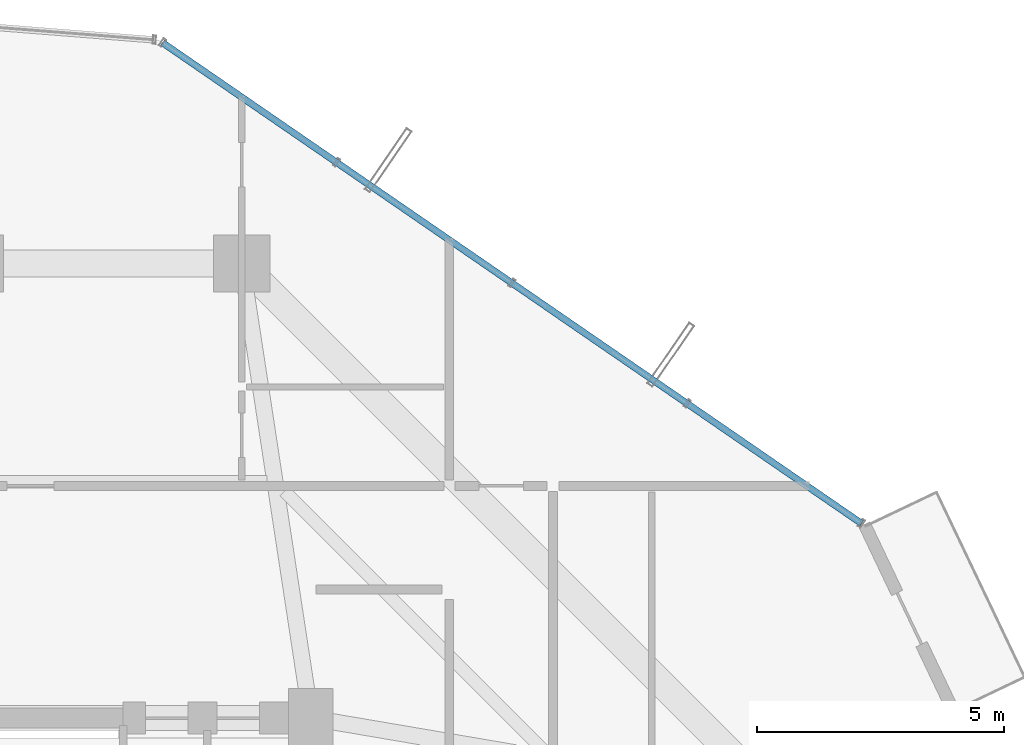
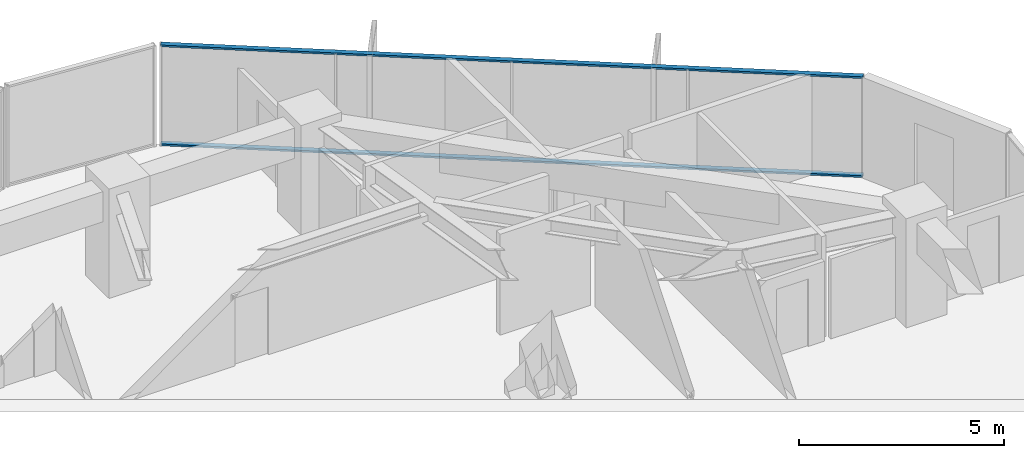
# One storey, part 22 of 30: 2 members, 1 element without a shape of its own.
"""IFC4 building model written with IfcOpenShell, lengths in metres."""

from ifc_helpers import new_model, si_unit, direction, frame, origin, origin_2d, place, context, subcontext, project, spatial, hollow_rectangle, extrude, source, transform, mapped, material, layer, layer_set, material_profile, profile_set, type_object, element, aggregate, save


model = new_model("IFC4")

# Units and contexts
model_context = context("Model", 3, precision=1e-05, world=origin(), true_north=direction((0.0, 1.0)))
body_context = subcontext(model_context, "Body", "Model", "MODEL_VIEW")
ifc_project = project(units=[si_unit("LENGTHUNIT", "METRE"), si_unit("AREAUNIT", "SQUARE_METRE"), si_unit("VOLUMEUNIT", "CUBIC_METRE"), si_unit("PLANEANGLEUNIT", "RADIAN"), si_unit("MASSUNIT", "GRAM", prefix="KILO")], contexts=[model_context])

# Site, building, storey
site_placement = place(None, origin())
site = spatial("IfcSite", under=ifc_project, at=site_placement, CompositionType="ELEMENT")
building_placement = place(site_placement, origin())
building = spatial("IfcBuilding", under=site, at=building_placement, Name="Veraguas Prism Commons", CompositionType="ELEMENT")
storey_placement = place(building_placement, frame((0.0, 0.0, 113.25)))
storey = spatial("IfcBuildingStorey", under=building, at=storey_placement, Name="L31", CompositionType="ELEMENT", Elevation=113.25)

# Curtain wall, members
ifc_material = material(Name="Anodised aluminium EN AW-6063 T6", Category="aluminium")
ifc_layer = layer(ifc_material, 0.169921875, Name="Unitised Flush Curtain Wall Zone 2", Category="aluminium")
ifc_layer_set = layer_set([ifc_layer], Name="Anodised aluminium EN AW-6063 T6")
curtain_wall_type = type_object("IfcCurtainWallType", Name="Unitised Flush Curtain Wall Zone 2", PredefinedType="NOTDEFINED", material=ifc_layer_set)
curtain_wall_placement = place(storey_placement, origin())
curtain_wall = element("IfcCurtainWall", 1, at=curtain_wall_placement, inside=storey, type_object=curtain_wall_type, Name="Tower Facade Curtain Wall L31-F1", PredefinedType="NOTDEFINED")
ifc_material_profile = material_profile(ifc_material, hollow_rectangle(XDim=0.054931640625, YDim=0.135009765625, WallThickness=0.0029296875, at=origin_2d()), Name="AL55X135X3")
ifc_profile_set = profile_set([ifc_material_profile], Name="Anodised aluminium EN AW-6063 T6")
member_type = type_object("IfcMemberType", Name="Curtain Wall Transom Standard AL 55x135x3", PredefinedType="USERDEFINED", material=ifc_profile_set)
shared_shape = source(origin(), body_context, "Body", "SweptSolid", [
    extrude(hollow_rectangle(XDim=0.054931640625, YDim=0.135009765625, WallThickness=0.0029296875, at=origin_2d()), origin(), (0.0, 0.0, 1.0), 17.17431640625),
])
member_1_placement = place(storey_placement, frame((41.94580078125, 34.938720703125, 0.027587890625), z_axis=(-0.823925770293, 0.566697736935, 0.0), x_axis=(0.0, 0.0, 1.0)))
member_1 = element("IfcMember", 2, at=member_1_placement, type_object=member_type, Name="CW-Z2 Transom 1", ObjectType="TRANSOM", PredefinedType="USERDEFINED", context=body_context, shape_type="MappedRepresentation", body=[
    mapped(shared_shape, transform((0.0, 0.0, 0.0), scale=1.0)),
])
member_2_placement = place(storey_placement, frame((41.94580078125, 34.938720703125, 2.972412109375), z_axis=(-0.823925770293, 0.566697736935, 0.0), x_axis=(0.0, 0.0, 1.0)))
member_2 = element("IfcMember", 3, at=member_2_placement, type_object=member_type, Name="CW-Z2 Transom 2", ObjectType="TRANSOM", PredefinedType="USERDEFINED", context=body_context, shape_type="MappedRepresentation", body=[
    mapped(shared_shape, transform((0.0, 0.0, 0.0), scale=1.0)),
])
aggregate(curtain_wall, [member_1, member_2])

save(model, "model.ifc")
